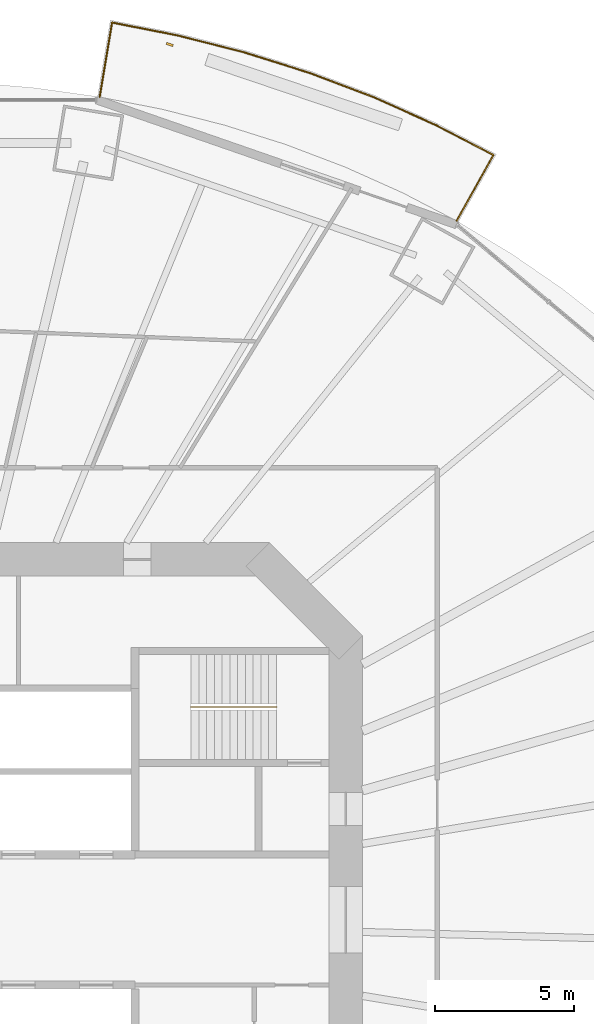
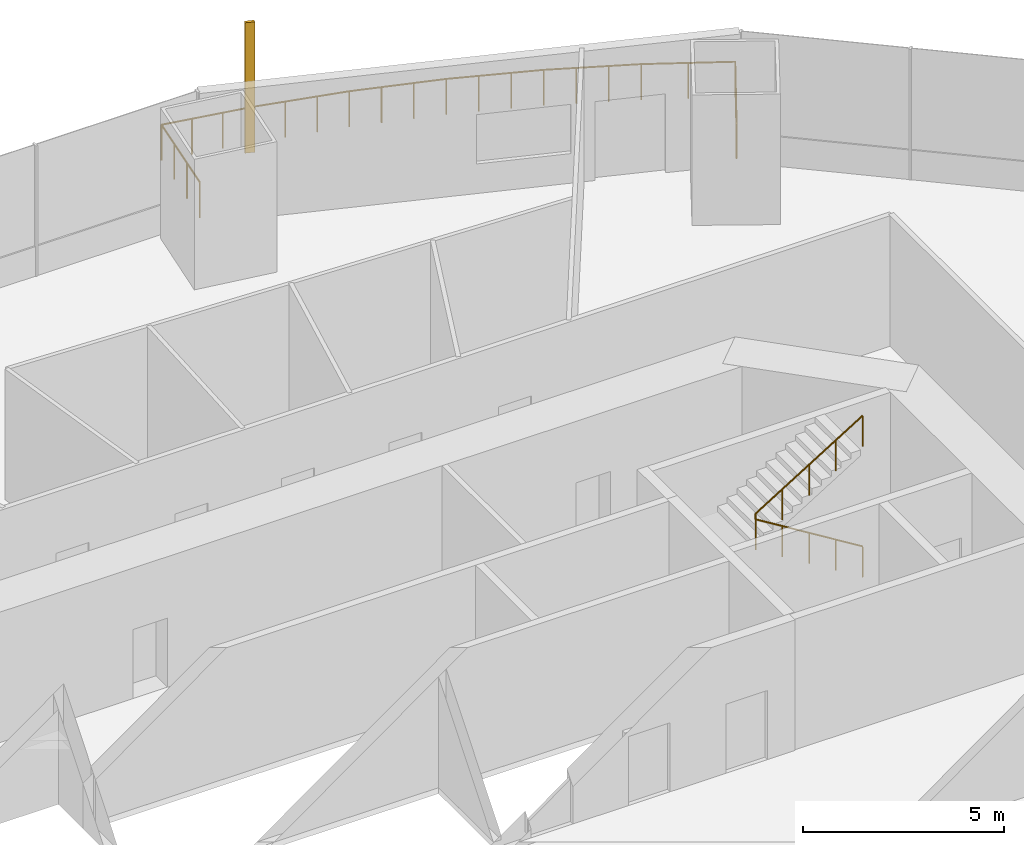
# One storey, part 21 of 23: 2 railings, 1 shading device.
"""IFC4 building model written with IfcOpenShell, lengths in metres."""

from ifc_helpers import new_model, si_unit, direction, frame, origin, origin_2d, place, context, subcontext, project, spatial, rectangle, circle, extrude, material, material_profile, profile_set, type_object, element, save


model = new_model("IFC4")

# Units and contexts
model_context = context("Model", 3, precision=1e-05, world=origin(), true_north=direction((0.0, 1.0)))
body_context = subcontext(model_context, "Body", "Model", "MODEL_VIEW")
ifc_project = project(units=[si_unit("LENGTHUNIT", "METRE"), si_unit("AREAUNIT", "SQUARE_METRE"), si_unit("VOLUMEUNIT", "CUBIC_METRE"), si_unit("PLANEANGLEUNIT", "RADIAN"), si_unit("MASSUNIT", "GRAM", prefix="KILO")], contexts=[model_context])

# Site, building, storey
site_placement = place(None, origin())
site = spatial("IfcSite", under=ifc_project, at=site_placement, CompositionType="ELEMENT")
building_placement = place(site_placement, origin())
building = spatial("IfcBuilding", under=site, at=building_placement, Name="Marenthal Gate Tower", CompositionType="ELEMENT")
storey_placement = place(building_placement, frame((0.0, 0.0, 62.050048828125)))
storey = spatial("IfcBuildingStorey", under=building, at=storey_placement, Name="L11", CompositionType="ELEMENT", Elevation=62.050048828125)

# Railings
ifc_material_1 = material(Name="Stainless steel", Category="steel")
railing_type_1 = type_object("IfcRailingType", Name="Balcony guard 1100", PredefinedType="GUARDRAIL", material=ifc_material_1)
railing_1_placement = place(storey_placement, frame((7.12451171875, 29.67431640625, 0.0)))
element("IfcRailing", 1, at=railing_1_placement, inside=storey, type_object=railing_type_1, Name="Balcony guard L11 bay 3", PredefinedType="GUARDRAIL", context=body_context, shape_type="SweptSolid", body=[
    extrude(circle(Radius=0.02392578125, at=origin_2d()), frame((0.0, 0.0, 1.076171875), z_axis=(0.164599482451, 0.986250661205, -0.014718819587), x_axis=(-0.986357511038, 0.164617315064, 0.0)), (0.0, 0.0, 1.0), 2.72021484375),
    extrude(circle(Radius=0.02392578125, at=origin_2d()), frame((0.44775390625, 2.682861328125, 1.0361328125), z_axis=(0.981247114518, -0.192753988932, 0.0), x_axis=(0.192753988932, 0.981247114518, 0.0)), (0.0, 0.0, 1.0), 2.416748046875),
    extrude(circle(Radius=0.02392578125, at=origin_2d()), frame((2.819091796875, 2.217041015625, 1.0361328125), z_axis=(0.969164557422, -0.24641440834, 0.0), x_axis=(0.24641440834, 0.969164557422, 0.0)), (0.0, 0.0, 1.0), 2.48681640625),
    extrude(circle(Radius=0.02392578125, at=origin_2d()), frame((5.229248046875, 1.604248046875, 1.0361328125), z_axis=(0.953670609563, -0.300852735495, 0.0), x_axis=(0.300852735495, 0.953670609563, 0.0)), (0.0, 0.0, 1.0), 2.474365234375),
    extrude(circle(Radius=0.02392578125, at=origin_2d()), frame((7.5888671875, 0.85986328125, 1.0361328125), z_axis=(0.934856725019, -0.355025215564, 0.0), x_axis=(0.355025215564, 0.934856725019, 0.0)), (0.0, 0.0, 1.0), 2.459716796875),
    extrude(circle(Radius=0.02392578125, at=origin_2d()), frame((9.888427734375, -0.013427734375, 1.0361328125), z_axis=(0.912604464389, -0.408843602833, 0.0), x_axis=(0.408843602833, 0.912604464389, 0.0)), (0.0, 0.0, 1.0), 2.443603515625),
    extrude(circle(Radius=0.02392578125, at=origin_2d()), frame((12.118408203125, -1.012451171875, 1.0361328125), z_axis=(0.887238949587, -0.461310141159, 0.0), x_axis=(0.461310141159, 0.887238949587, 0.0)), (0.0, 0.0, 1.0), 2.34619140625),
    extrude(circle(Radius=0.02392578125, at=origin_2d()), frame((14.199951171875, -2.0947265625, 1.0361328125), z_axis=(-0.488848293332, -0.872244641619, 0.014718399138), x_axis=(0.872339134705, -0.488901251851, 0.0)), (0.0, 0.0, 1.0), 2.720458984375),
    extrude(circle(Radius=0.02099609375, at=origin_2d()), origin(), (0.0, 0.0, 1.0), 1.052001953125),
    extrude(circle(Radius=0.02099609375, at=origin_2d()), frame((0.149169921875, 0.894287109375, -0.013427734375)), (0.0, 0.0, 1.0), 1.052001953125),
    extrude(circle(Radius=0.02099609375, at=origin_2d()), frame((0.298583984375, 1.78857421875, -0.026611328125)), (0.0, 0.0, 1.0), 1.052001953125),
    extrude(circle(Radius=0.02099609375, at=origin_2d()), frame((0.44775390625, 2.682861328125, -0.0400390625)), (0.0, 0.0, 1.0), 1.052001953125),
    extrude(circle(Radius=0.02099609375, at=origin_2d()), frame((1.23828125, 2.527587890625, -0.0400390625)), (0.0, 0.0, 1.0), 1.052001953125),
    extrude(circle(Radius=0.02099609375, at=origin_2d()), frame((2.028564453125, 2.372314453125, -0.0400390625)), (0.0, 0.0, 1.0), 1.052001953125),
    extrude(circle(Radius=0.02099609375, at=origin_2d()), frame((2.819091796875, 2.217041015625, -0.0400390625)), (0.0, 0.0, 1.0), 1.052001953125),
    extrude(circle(Radius=0.02099609375, at=origin_2d()), frame((3.62255859375, 2.0126953125, -0.0400390625)), (0.0, 0.0, 1.0), 1.052001953125),
    extrude(circle(Radius=0.02099609375, at=origin_2d()), frame((4.42578125, 1.80859375, -0.0400390625)), (0.0, 0.0, 1.0), 1.052001953125),
    extrude(circle(Radius=0.02099609375, at=origin_2d()), frame((5.229248046875, 1.604248046875, -0.0400390625)), (0.0, 0.0, 1.0), 1.052001953125),
    extrude(circle(Radius=0.02099609375, at=origin_2d()), frame((6.015869140625, 1.356201171875, -0.0400390625)), (0.0, 0.0, 1.0), 1.052001953125),
    extrude(circle(Radius=0.02099609375, at=origin_2d()), frame((6.80224609375, 1.10791015625, -0.0400390625)), (0.0, 0.0, 1.0), 1.052001953125),
    extrude(circle(Radius=0.02099609375, at=origin_2d()), frame((7.5888671875, 0.85986328125, -0.0400390625)), (0.0, 0.0, 1.0), 1.052001953125),
    extrude(circle(Radius=0.02099609375, at=origin_2d()), frame((8.35546875, 0.56884765625, -0.0400390625)), (0.0, 0.0, 1.0), 1.052001953125),
    extrude(circle(Radius=0.02099609375, at=origin_2d()), frame((9.121826171875, 0.277587890625, -0.0400390625)), (0.0, 0.0, 1.0), 1.052001953125),
    extrude(circle(Radius=0.02099609375, at=origin_2d()), frame((9.888427734375, -0.013427734375, -0.0400390625)), (0.0, 0.0, 1.0), 1.052001953125),
    extrude(circle(Radius=0.02099609375, at=origin_2d()), frame((10.6318359375, -0.346435546875, -0.0400390625)), (0.0, 0.0, 1.0), 1.052001953125),
    extrude(circle(Radius=0.02099609375, at=origin_2d()), frame((11.375, -0.679443359375, -0.0400390625)), (0.0, 0.0, 1.0), 1.052001953125),
    extrude(circle(Radius=0.02099609375, at=origin_2d()), frame((12.118408203125, -1.012451171875, -0.0400390625)), (0.0, 0.0, 1.0), 1.052001953125),
    extrude(circle(Radius=0.02099609375, at=origin_2d()), frame((13.1591796875, -1.5537109375, -0.0400390625)), (0.0, 0.0, 1.0), 1.052001953125),
    extrude(circle(Radius=0.02099609375, at=origin_2d()), frame((14.199951171875, -2.0947265625, -0.0400390625)), (0.0, 0.0, 1.0), 1.052001953125),
    extrude(circle(Radius=0.02099609375, at=origin_2d()), frame((13.756591796875, -2.8857421875, -0.026611328125)), (0.0, 0.0, 1.0), 1.052001953125),
    extrude(circle(Radius=0.02099609375, at=origin_2d()), frame((13.3134765625, -3.676513671875, -0.013427734375)), (0.0, 0.0, 1.0), 1.052001953125),
    extrude(circle(Radius=0.02099609375, at=origin_2d()), frame((12.8701171875, -4.467529296875, 0.0)), (0.0, 0.0, 1.0), 1.052001953125),
])
ifc_material_2 = material(Name="Stainless steel", Category="steel")
railing_type_2 = type_object("IfcRailingType", Name="Stair handrail", PredefinedType="HANDRAIL", material=ifc_material_2)
railing_2_placement = place(storey_placement, frame((13.5, 7.675048828125, 0.1728515625)))
element("IfcRailing", 2, at=railing_2_placement, inside=storey, type_object=railing_type_2, Name="Handrail ST3", PredefinedType="HANDRAIL", context=body_context, shape_type="SweptSolid", body=[
    extrude(circle(Radius=0.0224609375, at=origin_2d()), frame((0.0, 0.0, 0.927490234375), z_axis=(-0.850835241893, 0.0, 0.525432575268), x_axis=(0.0, -1.0, 0.0)), (0.0, 0.0, 1.0), 3.6201171875),
    extrude(circle(Radius=0.0224609375, at=origin_2d()), frame((-3.080078125, 0.0, 2.82958984375), z_axis=(0.0, 0.0, 1.0), x_axis=(1.0, 0.0, 0.0)), (0.0, 0.0, 1.0), 0.1728515625),
    extrude(circle(Radius=0.0224609375, at=origin_2d()), frame((-3.080078125, 0.0, 3.00244140625), z_axis=(0.850835241893, 0.0, 0.525432575268), x_axis=(0.0, 1.0, 0.0)), (0.0, 0.0, 1.0), 3.6201171875),
    extrude(circle(Radius=0.02001953125, at=origin_2d()), origin(), (0.0, 0.0, 1.0), 0.905029296875),
    extrude(circle(Radius=0.02001953125, at=origin_2d()), frame((-0.77001953125, 0.0, 0.4755859375)), (0.0, 0.0, 1.0), 0.905029296875),
    extrude(circle(Radius=0.02001953125, at=origin_2d()), frame((-1.5400390625, 0.0, 0.951171875)), (0.0, 0.0, 1.0), 0.905029296875),
    extrude(circle(Radius=0.02001953125, at=origin_2d()), frame((-2.31005859375, 0.0, 1.426513671875)), (0.0, 0.0, 1.0), 0.905029296875),
    extrude(circle(Radius=0.02001953125, at=origin_2d()), frame((-3.080078125, 0.0, 1.902099609375)), (0.0, 0.0, 1.0), 0.905029296875),
    extrude(circle(Radius=0.02001953125, at=origin_2d()), frame((-3.080078125, 0.0, 2.074951171875)), (0.0, 0.0, 1.0), 0.905029296875),
    extrude(circle(Radius=0.02001953125, at=origin_2d()), frame((-2.31005859375, 0.0, 2.550537109375)), (0.0, 0.0, 1.0), 0.905029296875),
    extrude(circle(Radius=0.02001953125, at=origin_2d()), frame((-1.5400390625, 0.0, 3.02587890625)), (0.0, 0.0, 1.0), 0.905029296875),
    extrude(circle(Radius=0.02001953125, at=origin_2d()), frame((-0.77001953125, 0.0, 3.50146484375)), (0.0, 0.0, 1.0), 0.905029296875),
    extrude(circle(Radius=0.02001953125, at=origin_2d()), frame((0.0, 0.0, 3.97705078125)), (0.0, 0.0, 1.0), 0.905029296875),
])

# Shading device
ifc_material_3 = material(Name="Terracotta", Category="masonry")
ifc_material_profile = material_profile(ifc_material_3, rectangle(XDim=0.25, YDim=0.080078125, at=origin_2d()), Name="Terracotta baguette 250x80")
ifc_profile_set = profile_set([ifc_material_profile], Name="Terracotta")
shading_device_type = type_object("IfcShadingDeviceType", Name="Terracotta BAGUETTE SCREEN 250x80", PredefinedType="USERDEFINED", material=ifc_profile_set)
shading_device_placement = place(storey_placement, frame((9.651123046875, 31.56787109375, -0.0400390625), z_axis=(0.0, 0.0, 1.0), x_axis=(-0.944672154092, 0.32801603815, 0.0)))
element("IfcShadingDevice", 3, at=shading_device_placement, inside=storey, type_object=shading_device_type, Name="Terracotta BAGUETTE L11 bay 3R", ObjectType="BAGUETTE SCREEN", PredefinedType="USERDEFINED", context=body_context, shape_type="SweptSolid", body=[
    extrude(rectangle(XDim=0.25, YDim=0.080078125, at=origin_2d()), origin(), (0.0, 0.0, 1.0), 3.969970703125),
])

save(model, "model.ifc")
